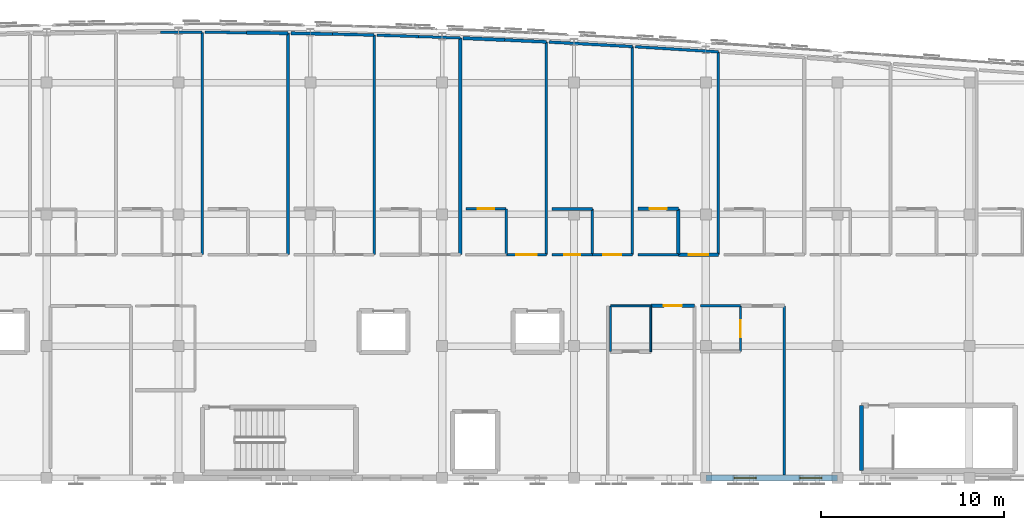
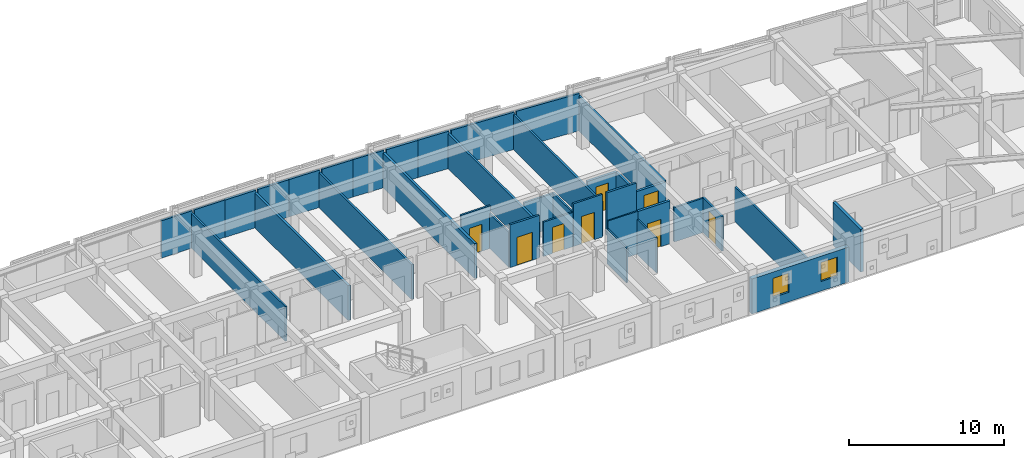
# One storey, part 39 of 45: 38 walls, 8 doors, 2 windows, 10 openings.
"""IFC4 building model written with IfcOpenShell, lengths in metres."""

import ifcopenshell
import ifcopenshell.guid

model = None  # the IFC model being written
_history = None  # IfcOwnerHistory: only IFC2X3 demands one
_inside = {}  # id of a spatial element -> (the spatial element, [elements in it])
_under = {}  # id of a project, library or spatial element -> (it, [spatial elements below it])
_declared = {}  # id of a project -> (the project, [libraries it declares])
_typed = {}  # id of a type object -> (the type object, [elements of that type])
_made_of = {}  # id of a material, layer set ... -> (it, [elements and type objects made of it])


def new_model(schema):
    """Start an empty IFC model of exactly this schema.

    Asked for "IFC4X3", IfcOpenShell would pick the latest addendum, in which some entities
    have other attributes; the version numbers below select the first issue.
    IFC2X3 requires an IfcOwnerHistory on every rooted entity: one is made here for all.
    """
    global model, _history
    if schema == "IFC4X3":
        model = ifcopenshell.file(schema_version=(4, 3, 0, 0))
    else:
        model = ifcopenshell.file(schema=schema)
    _inside.clear()
    _under.clear()
    _declared.clear()
    _typed.clear()
    _made_of.clear()
    _history = None
    if model.schema == "IFC2X3":
        org = make("IfcOrganization", Name="unknown")
        user = make(
            "IfcPersonAndOrganization",
            ThePerson=make("IfcPerson", FamilyName="unknown"),
            TheOrganization=org,
        )
        app = make(
            "IfcApplication",
            ApplicationDeveloper=org,
            Version="unknown",
            ApplicationFullName="unknown",
            ApplicationIdentifier="unknown",
        )
        _history = make(
            "IfcOwnerHistory",
            OwningUser=user,
            OwningApplication=app,
            ChangeAction="ADDED",
            CreationDate=0,
        )
    return model


def make(cls, **values):
    """One entity of the class cls with the attributes given. An attribute that is None is left unset."""
    return model.create_entity(
        cls, **{name: value for name, value in values.items() if value is not None}
    )


def rooted(cls, **values):
    """An entity with a GlobalId (a new one), such as an element, a storey or a relation."""
    return make(cls, GlobalId=ifcopenshell.guid.new(), OwnerHistory=_history, **values)


def si_unit(unit_type, name, prefix=None):
    """IfcSIUnit, for example si_unit("LENGTHUNIT", "METRE", prefix="MILLI")."""
    return make("IfcSIUnit", UnitType=unit_type, Prefix=prefix, Name=name)


def assignment(units):
    """IfcUnitAssignment: the units of a project."""
    return None if units is None else make("IfcUnitAssignment", Units=units)


def point(xyz):
    """IfcCartesianPoint."""
    return None if xyz is None else make("IfcCartesianPoint", Coordinates=xyz)


def direction(xyz):
    """IfcDirection."""
    return None if xyz is None else make("IfcDirection", DirectionRatios=xyz)


def frame(location, z_axis=None, x_axis=None):
    """IfcAxis2Placement3D, a coordinate frame: its origin and axes. An axis left out is left unset."""
    return make(
        "IfcAxis2Placement3D",
        Location=point(location),
        Axis=direction(z_axis),
        RefDirection=direction(x_axis),
    )


def frame_2d(location, x_axis=None):
    """IfcAxis2Placement2D, a coordinate frame in the plane: its origin and x axis."""
    return make(
        "IfcAxis2Placement2D", Location=point(location), RefDirection=direction(x_axis)
    )


def origin():
    """The frame at (0, 0, 0) with its axes left unset."""
    return frame((0.0, 0.0, 0.0))


def place(relative_to, where):
    """IfcLocalPlacement: puts the frame where relative to a parent placement (None: the world)."""
    return make(
        "IfcLocalPlacement", PlacementRelTo=relative_to, RelativePlacement=where
    )


def context(
    kind, dimensions, precision=None, world=None, true_north=None, identifier=None
):
    """IfcGeometricRepresentationContext, for example the 3D "Model" context."""
    return make(
        "IfcGeometricRepresentationContext",
        ContextIdentifier=identifier,
        ContextType=kind,
        CoordinateSpaceDimension=dimensions,
        Precision=precision,
        WorldCoordinateSystem=world,
        TrueNorth=true_north,
    )


def subcontext(parent, identifier, kind, view, scale=None):
    """IfcGeometricRepresentationSubContext, for example "Body" below "Model"."""
    return make(
        "IfcGeometricRepresentationSubContext",
        ContextIdentifier=identifier,
        ContextType=kind,
        ParentContext=parent,
        TargetScale=scale,
        TargetView=view,
    )


def project(units=None, contexts=None):
    """IfcProject with its units and contexts."""
    return rooted(
        "IfcProject",
        Name="project",
        RepresentationContexts=contexts,
        UnitsInContext=assignment(units),
    )


def spatial(cls, under=None, at=None, **own):
    """A site, building, storey or space (cls), placed at a placement, below another one or the project."""
    s = rooted(cls, ObjectPlacement=at, **own)
    if under is not None:
        _under.setdefault(under.id(), (under, []))[1].append(s)
    return s


def profile(cls, at=None, kind="AREA", **sizes):
    """A parametric profile (cls). Its sizes go by their IFC names, for example OverallWidth=200.0."""
    return make(cls, ProfileType=kind, Position=at, **sizes)


def rectangle(**sizes):
    """IfcRectangleProfileDef."""
    return profile("IfcRectangleProfileDef", **sizes)


def extrude(swept, where, along, depth):
    """IfcExtrudedAreaSolid: the profile swept, set in the frame where, extruded along a direction by depth."""
    return make(
        "IfcExtrudedAreaSolid",
        SweptArea=swept,
        Position=where,
        ExtrudedDirection=direction(along),
        Depth=depth,
    )


def shape(context_of_items, identifier, shape_type, items):
    """IfcShapeRepresentation: the items that make up one representation, for example the "Body"."""
    return make(
        "IfcShapeRepresentation",
        ContextOfItems=context_of_items,
        RepresentationIdentifier=identifier,
        RepresentationType=shape_type,
        Items=items,
    )


def material(Name=None, Category=None):
    """IfcMaterial."""
    return make("IfcMaterial", Name=Name, Category=Category)


def layer(
    of_material, thickness, ventilated=None, Name=None, Category=None, Priority=None
):
    """IfcMaterialLayer: one layer of a wall or slab, of a material (None: an air gap)."""
    return make(
        "IfcMaterialLayer",
        Material=of_material,
        LayerThickness=thickness,
        IsVentilated=ventilated,
        Name=Name,
        Category=Category,
        Priority=Priority,
    )


def layer_set(layers, Name=None):
    """IfcMaterialLayerSet."""
    return make("IfcMaterialLayerSet", MaterialLayers=layers, LayerSetName=Name)


def made_of(thing, what):
    """Note that an element or type object is made of a material, layer set ...; save() writes the relation."""
    if what is not None:
        _made_of.setdefault(what.id(), (what, []))[1].append(thing)
    return thing


def type_object(cls, material=None, **own):
    """A type object (cls), such as IfcWallType, which elements share."""
    return made_of(rooted(cls, **own), material)


def element(
    cls,
    number,
    at=None,
    inside=None,
    cuts=None,
    type_object=None,
    material=None,
    context=None,
    identifier="Body",
    shape_type=None,
    held_by="IfcProductDefinitionShape",
    body=None,
    shapes=None,
    **own,
):
    """One element of the class cls, such as IfcWall. Its Tag is "e" and its number.

    at: its placement. inside: the storey or other place that contains it. cuts: it is an
    opening in that element (IfcRelVoidsElement). A single representation is given by context,
    identifier, shape_type and body (its items); several are given by shapes. held_by: the class
    of the entity that holds the representations. save() writes the other relations.
    """
    e = rooted(cls, Tag="e%d" % number, ObjectPlacement=at, **own)
    if body is not None:
        shapes = [shape(context, identifier, shape_type, body)]
    if shapes is not None:
        e.Representation = make(held_by, Representations=shapes)
    if inside is not None:
        _inside.setdefault(inside.id(), (inside, []))[1].append(e)
    if cuts is not None:
        rooted(
            "IfcRelVoidsElement", RelatingBuildingElement=cuts, RelatedOpeningElement=e
        )
    if type_object is not None:
        _typed.setdefault(type_object.id(), (type_object, []))[1].append(e)
    return made_of(e, material)


def fill(opening, filler):
    """IfcRelFillsElement: the door or window that sits in an opening."""
    return rooted(
        "IfcRelFillsElement",
        RelatingOpeningElement=opening,
        RelatedBuildingElement=filler,
    )


def aggregate(whole, parts):
    """IfcRelAggregates: a whole, such as a stair, and the parts it consists of."""
    return rooted("IfcRelAggregates", RelatingObject=whole, RelatedObjects=parts)


def save(model, path):
    """Write the relations noted so far, then the file.

    IfcRelAggregates (storeys below a building ...), IfcRelContainedInSpatialStructure (elements
    in a storey), IfcRelDefinesByType, IfcRelAssociatesMaterial and IfcRelDeclares: one each for
    every whole, place, type object, material and project.
    """
    for whole, parts in _under.values():
        aggregate(whole, parts)
    for where, things in _inside.values():
        rooted(
            "IfcRelContainedInSpatialStructure",
            RelatedElements=things,
            RelatingStructure=where,
        )
    for kind, things in _typed.values():
        rooted("IfcRelDefinesByType", RelatedObjects=things, RelatingType=kind)
    for what, things in _made_of.values():
        rooted("IfcRelAssociatesMaterial", RelatedObjects=things, RelatingMaterial=what)
    for by, libraries in _declared.values():
        rooted("IfcRelDeclares", RelatingContext=by, RelatedDefinitions=libraries)
    model.write(path)


model = new_model("IFC4")

# Units and contexts
model_context = context("Model", 3, precision=1e-05, world=origin(), true_north=direction((0.0, 1.0)))
body_context = subcontext(model_context, "Body", "Model", "MODEL_VIEW")
ifc_project = project(units=[si_unit("LENGTHUNIT", "METRE"), si_unit("AREAUNIT", "SQUARE_METRE"), si_unit("VOLUMEUNIT", "CUBIC_METRE"), si_unit("PLANEANGLEUNIT", "RADIAN"), si_unit("MASSUNIT", "GRAM", prefix="KILO")], contexts=[model_context])

# Site, building, storey
site_placement = place(None, origin())
site = spatial("IfcSite", under=ifc_project, at=site_placement, CompositionType="ELEMENT")
building_placement = place(site_placement, origin())
building = spatial("IfcBuilding", under=site, at=building_placement, Name="Carrowvane Square Congress Hotel", CompositionType="ELEMENT")
storey_placement = place(building_placement, frame((0.0, 0.0, 33.60009765625)))
storey = spatial("IfcBuildingStorey", under=building, at=storey_placement, Name="L08", CompositionType="ELEMENT", Elevation=33.60009765625)

# Wall, openings, windows
ifc_material_1 = material(Name="Glazed terracotta rainscreen", Category="masonry")
ifc_layer_1 = layer(ifc_material_1, 0.330078125)
ifc_layer_set_1 = layer_set([ifc_layer_1], Name="Glazed terracotta rainscreen")
wall_type_1 = type_object("IfcWallType", Name="WL-EXT-TC330", PredefinedType="STANDARD", material=ifc_layer_set_1)
wall_1_placement = place(storey_placement, frame((134.0, 91.800048828125, 0.0), z_axis=(0.0, 0.0, 1.0), x_axis=(-1.0, 0.0, 0.0)))
wall_1 = element("IfcWall", 1, at=wall_1_placement, inside=storey, type_object=wall_type_1, Name="L08 exterior facade wall 543", PredefinedType="STANDARD", context=body_context, shape_type="SweptSolid", body=[
    extrude(rectangle(XDim=7.199951171875, YDim=0.330078125, at=frame_2d((3.60009765625, 0.0))), origin(), (0.0, 0.0, 1.0), 2.744873046875),
])
opening_1_placement = place(wall_1_placement, frame((0.85498046875, 0.0, 0.75)))
opening_1 = element("IfcOpeningElement", 2, at=opening_1_placement, cuts=wall_1, Name="Opening W-01", PredefinedType="OPENING", context=body_context, shape_type="SweptSolid", body=[
    extrude(rectangle(XDim=1.199951171875, YDim=1.5, at=frame_2d((0.60009765625, 0.75))), frame((0.0, 0.175048828125, 0.0), z_axis=(0.0, -1.0, 0.0), x_axis=(1.0, 0.0, 0.0)), (0.0, 0.0, 1.0), 0.35009765625),
])
opening_2_placement = place(wall_1_placement, frame((4.455078125, 0.0, 0.75)))
opening_2 = element("IfcOpeningElement", 3, at=opening_2_placement, cuts=wall_1, Name="Opening W-01", PredefinedType="OPENING", context=body_context, shape_type="SweptSolid", body=[
    extrude(rectangle(XDim=1.199951171875, YDim=1.5, at=frame_2d((0.60009765625, 0.75))), frame((0.0, 0.175048828125, 0.0), z_axis=(0.0, -1.0, 0.0), x_axis=(1.0, 0.0, 0.0)), (0.0, 0.0, 1.0), 0.35009765625),
])
ifc_material_2 = material(Name="Double-glazed low-E glass", Category="glass")
window_type = type_object("IfcWindowType", Name="WIN-01", PartitioningType="SINGLE_PANEL", PredefinedType="WINDOW", material=ifc_material_2)
window_1_placement = place(opening_1_placement, origin())
window_1 = element("IfcWindow", 4, at=window_1_placement, inside=storey, type_object=window_type, Name="L08 facade window 384", OverallHeight=1.5, OverallWidth=1.199951171875, PartitioningType="SINGLE_PANEL", PredefinedType="WINDOW", context=body_context, shape_type="SweptSolid", body=[
    extrude(rectangle(XDim=1.199951171875, YDim=1.5, at=frame_2d((0.60009765625, 0.75))), frame((0.0, 0.030029296875, 0.0), z_axis=(0.0, -1.0, 0.0), x_axis=(1.0, 0.0, 0.0)), (0.0, 0.0, 1.0), 0.06005859375),
])
fill(opening_1, window_1)
window_2_placement = place(opening_2_placement, origin())
window_2 = element("IfcWindow", 5, at=window_2_placement, inside=storey, type_object=window_type, Name="L08 split-bay facade window WIN-L08-0384-1", OverallHeight=1.5, OverallWidth=1.199951171875, PartitioningType="SINGLE_PANEL", PredefinedType="WINDOW", context=body_context, shape_type="SweptSolid", body=[
    extrude(rectangle(XDim=1.199951171875, YDim=1.5, at=frame_2d((0.60009765625, 0.75))), frame((0.0, 0.030029296875, 0.0), z_axis=(0.0, -1.0, 0.0), x_axis=(1.0, 0.0, 0.0)), (0.0, 0.0, 1.0), 0.06005859375),
])
fill(opening_2, window_2)

# Walls
ifc_material_3 = material(Name="Acoustic gypsum board", Category="gypsum")
ifc_layer_2 = layer(ifc_material_3, 0.155029296875)
ifc_layer_set_2 = layer_set([ifc_layer_2], Name="Acoustic gypsum board")
wall_type_2 = type_object("IfcWallType", Name="WL-FIR-155", PredefinedType="PARTITIONING", material=ifc_layer_set_2)
wall_2_placement = place(storey_placement, frame((106.419921875, 116.05224609375, 0.0), z_axis=(0.0, 0.0, 1.0), x_axis=(0.999675304662, -0.025481076275, 0.0)))
element("IfcWall", 6, at=wall_2_placement, inside=storey, type_object=wall_type_2, Name="L08 Parkview Guest Bedroom 0818 partition", PredefinedType="PARTITIONING", context=body_context, shape_type="SweptSolid", body=[
    extrude(rectangle(XDim=2.270751953125, YDim=0.155029296875, at=frame_2d((1.13525390625, 0.0))), origin(), (0.0, 0.0, 1.0), 2.935546875),
])
wall_3_placement = place(storey_placement, frame((118.090087890625, 115.623779296875, 0.0), z_axis=(0.0, 0.0, 1.0), x_axis=(0.0, -1.0, 0.0)))
element("IfcWall", 7, at=wall_3_placement, inside=storey, type_object=wall_type_2, Name="L08 Parkview Guest Bedroom 0820 partition", PredefinedType="PARTITIONING", context=body_context, shape_type="SweptSolid", body=[
    extrude(rectangle(XDim=11.623779296875, YDim=0.155029296875, at=frame_2d((5.81201171875, 0.0))), origin(), (0.0, 0.0, 1.0), 2.744873046875),
])
wall_4_placement = place(storey_placement, frame((118.25, 115.615478515625, 0.0), z_axis=(0.0, 0.0, 1.0), x_axis=(0.998531223826, -0.054179286128, 0.0)))
element("IfcWall", 8, at=wall_4_placement, inside=storey, type_object=wall_type_2, Name="L08 Parkview Guest Bedroom 0821 partition", PredefinedType="PARTITIONING", context=body_context, shape_type="SweptSolid", body=[
    extrude(rectangle(XDim=4.546630859375, YDim=0.155029296875, at=frame_2d((2.2734375, 0.0))), origin(), (0.0, 0.0, 1.0), 2.935546875),
])
wall_5_placement = place(storey_placement, frame((125.300048828125, 104.0, 0.0), z_axis=(0.0, 0.0, 1.0), x_axis=(-1.0, 0.0, 0.0)))
element("IfcWall", 9, at=wall_5_placement, inside=storey, type_object=wall_type_2, Name="L08 En-suite Bathroom 0822 partition", PredefinedType="PARTITIONING", context=body_context, shape_type="SweptSolid", body=[
    extrude(rectangle(XDim=2.199951171875, YDim=0.155029296875, at=frame_2d((1.10009765625, 0.0))), origin(), (0.0, 0.0, 1.0), 3.35986328125),
])
ifc_material_4 = material(Name="Acoustic gypsum board", Category="gypsum")
ifc_layer_3 = layer(ifc_material_4, 0.169921875)
ifc_layer_set_3 = layer_set([ifc_layer_3], Name="Acoustic gypsum board")
wall_type_3 = type_object("IfcWallType", Name="WL-FIR-170", PredefinedType="PARTITIONING", material=ifc_layer_set_3)
wall_6_placement = place(storey_placement, frame((103.989990234375, 116.099365234375, 0.0), z_axis=(0.0, 0.0, 1.0), x_axis=(0.0, -1.0, 0.0)))
element("IfcWall", 10, at=wall_6_placement, inside=storey, type_object=wall_type_3, Name="L08 Parkview Guest Bedroom 0817 partition", PredefinedType="PARTITIONING", context=body_context, shape_type="SweptSolid", body=[
    extrude(rectangle(XDim=12.099365234375, YDim=0.169921875, at=frame_2d((6.0498046875, 0.0))), origin(), (0.0, 0.0, 1.0), 2.744873046875),
])
wall_7_placement = place(storey_placement, frame((104.14990234375, 116.0966796875, 0.0), z_axis=(0.0, 0.0, 1.0), x_axis=(0.999808482299, -0.01957035317, 0.0)))
element("IfcWall", 11, at=wall_7_placement, inside=storey, type_object=wall_type_3, Name="L08 Parkview Guest Bedroom 0818 partition", PredefinedType="PARTITIONING", context=body_context, shape_type="SweptSolid", body=[
    extrude(rectangle(XDim=2.2705078125, YDim=0.169921875, at=frame_2d((1.13525390625, 0.0))), origin(), (0.0, 0.0, 1.0), 2.935546875),
])
wall_8_placement = place(storey_placement, frame((115.820068359375, 115.731201171875, 0.0), z_axis=(0.0, 0.0, 1.0), x_axis=(0.998882190977, -0.047269107768, 0.0)))
element("IfcWall", 12, at=wall_8_placement, inside=storey, type_object=wall_type_3, Name="L08 Parkview Guest Bedroom 0820 partition", PredefinedType="PARTITIONING", context=body_context, shape_type="SweptSolid", body=[
    extrude(rectangle(XDim=2.2724609375, YDim=0.169921875, at=frame_2d((1.13623046875, 0.0))), origin(), (0.0, 0.0, 1.0), 2.935546875),
])
wall_9_placement = place(storey_placement, frame((125.300048828125, 106.5, 0.0), z_axis=(0.0, 0.0, 1.0), x_axis=(0.0, -1.0, 0.0)))
element("IfcWall", 13, at=wall_9_placement, inside=storey, type_object=wall_type_3, Name="L08 En-suite Bathroom 0822 partition", PredefinedType="PARTITIONING", context=body_context, shape_type="SweptSolid", body=[
    extrude(rectangle(XDim=2.5, YDim=0.169921875, at=frame_2d((1.25, 0.0))), origin(), (0.0, 0.0, 1.0), 2.744873046875),
])

# Wall, opening, door
ifc_material_5 = material(Name="Acoustic gypsum board", Category="gypsum")
ifc_layer_4 = layer(ifc_material_5, 0.18505859375)
ifc_layer_set_4 = layer_set([ifc_layer_4], Name="Acoustic gypsum board")
wall_type_4 = type_object("IfcWallType", Name="WL-FIR-185", PredefinedType="PARTITIONING", material=ifc_layer_set_4)
wall_10_placement = place(storey_placement, frame((123.81005859375, 101.199951171875, 0.0), z_axis=(0.0, 0.0, 1.0), x_axis=(1.0, 0.0, 0.0)))
wall_10 = element("IfcWall", 14, at=wall_10_placement, inside=storey, type_object=wall_type_4, Name="L08 Hotel Guest Bedroom 0806 partition", PredefinedType="PARTITIONING", context=body_context, shape_type="SweptSolid", body=[
    extrude(rectangle(XDim=2.3798828125, YDim=0.18505859375, at=frame_2d((1.18994140625, 0.0))), origin(), (0.0, 0.0, 1.0), 3.35986328125),
])
opening_3_placement = place(wall_10_placement, frame((0.699951171875, 0.0, 0.0)))
opening_3 = element("IfcOpeningElement", 15, at=opening_3_placement, cuts=wall_10, Name="Opening FD-07", PredefinedType="OPENING", context=body_context, shape_type="SweptSolid", body=[
    extrude(rectangle(XDim=0.97998046875, YDim=2.14990234375, at=frame_2d((0.489990234375, 1.074951171875))), frame((0.0, 0.1025390625, 0.0), z_axis=(0.0, -1.0, 0.0), x_axis=(1.0, 0.0, 0.0)), (0.0, 0.0, 1.0), 0.205078125),
])
ifc_material_6 = material(Name="European oak timber", Category="wood")
door_type_1 = type_object("IfcDoorType", Name="DR-FD30-0980x2150", OperationType="NOTDEFINED", PredefinedType="DOOR", material=ifc_material_6)
door_1_placement = place(opening_3_placement, origin())
door_1 = element("IfcDoor", 16, at=door_1_placement, inside=storey, type_object=door_type_1, Name="L08 Hotel Guest Bedroom 0806 entrance door", OperationType="SINGLE_SWING_RIGHT", OverallHeight=2.14990234375, OverallWidth=0.97998046875, PredefinedType="DOOR", context=body_context, shape_type="SweptSolid", body=[
    extrude(rectangle(XDim=0.97998046875, YDim=2.14990234375, at=frame_2d((0.489990234375, 1.074951171875))), frame((0.0, 0.02490234375, 0.0), z_axis=(0.0, -1.0, 0.0), x_axis=(1.0, 0.0, 0.0)), (0.0, 0.0, 1.0), 0.050048828125),
])
fill(opening_3, door_1)

# Walls
wall_11_placement = place(storey_placement, frame((101.719970703125, 116.129150390625, 0.0), z_axis=(0.0, 0.0, 1.0), x_axis=(0.999913929464, -0.013119971972, 0.0)))
element("IfcWall", 17, at=wall_11_placement, inside=storey, type_object=wall_type_4, Name="L08 Parkview Guest Bedroom 0817 partition", PredefinedType="PARTITIONING", context=body_context, shape_type="SweptSolid", body=[
    extrude(rectangle(XDim=2.270263671875, YDim=0.18505859375, at=frame_2d((1.13525390625, 0.0))), origin(), (0.0, 0.0, 1.0), 2.935546875),
])
wall_12_placement = place(storey_placement, frame((113.389892578125, 115.834228515625, 0.0), z_axis=(0.0, 0.0, 1.0), x_axis=(0.0, -1.0, 0.0)))
element("IfcWall", 18, at=wall_12_placement, inside=storey, type_object=wall_type_4, Name="L08 Parkview Guest Bedroom 0819 partition", PredefinedType="PARTITIONING", context=body_context, shape_type="SweptSolid", body=[
    extrude(rectangle(XDim=11.834228515625, YDim=0.18505859375, at=frame_2d((5.9169921875, 0.0))), origin(), (0.0, 0.0, 1.0), 2.744873046875),
])
wall_13_placement = place(storey_placement, frame((113.550048828125, 115.827880859375, 0.0), z_axis=(0.0, 0.0, 1.0), x_axis=(0.99909428625, -0.042551230088, 0.0)))
element("IfcWall", 19, at=wall_13_placement, inside=storey, type_object=wall_type_4, Name="L08 Parkview Guest Bedroom 0820 partition", PredefinedType="PARTITIONING", context=body_context, shape_type="SweptSolid", body=[
    extrude(rectangle(XDim=2.27197265625, YDim=0.18505859375, at=frame_2d((1.135986328125, 0.0))), origin(), (0.0, 0.0, 1.0), 2.935546875),
])

# Wall, opening, door
wall_14_placement = place(storey_placement, frame((123.10009765625, 106.5, 0.0), z_axis=(0.0, 0.0, 1.0), x_axis=(1.0, 0.0, 0.0)))
wall_14 = element("IfcWall", 20, at=wall_14_placement, inside=storey, type_object=wall_type_4, Name="L08 En-suite Bathroom 0822 partition", PredefinedType="PARTITIONING", context=body_context, shape_type="SweptSolid", body=[
    extrude(rectangle(XDim=2.199951171875, YDim=0.18505859375, at=frame_2d((1.10009765625, 0.0))), origin(), (0.0, 0.0, 1.0), 2.744873046875),
])
opening_4_placement = place(wall_14_placement, frame((0.639892578125, 0.0, 0.0)))
opening_4 = element("IfcOpeningElement", 21, at=opening_4_placement, cuts=wall_14, Name="Opening ID-03", PredefinedType="OPENING", context=body_context, shape_type="SweptSolid", body=[
    extrude(rectangle(XDim=0.919921875, YDim=2.10009765625, at=frame_2d((0.4599609375, 1.050048828125))), frame((0.0, 0.1025390625, 0.0), z_axis=(0.0, -1.0, 0.0), x_axis=(1.0, 0.0, 0.0)), (0.0, 0.0, 1.0), 0.205078125),
])
ifc_material_7 = material(Name="European oak timber", Category="wood")
door_type_2 = type_object("IfcDoorType", Name="DR-INT-0920x2100", OperationType="NOTDEFINED", PredefinedType="DOOR", material=ifc_material_7)
door_2_placement = place(opening_4_placement, origin())
door_2 = element("IfcDoor", 22, at=door_2_placement, inside=storey, type_object=door_type_2, Name="L08 En-suite Bathroom 0822 door", OperationType="SINGLE_SWING_LEFT", OverallHeight=2.10009765625, OverallWidth=0.919921875, PredefinedType="DOOR", context=body_context, shape_type="SweptSolid", body=[
    extrude(rectangle(XDim=0.919921875, YDim=2.10009765625, at=frame_2d((0.4599609375, 1.050048828125))), frame((0.0, 0.02490234375, 0.0), z_axis=(0.0, -1.0, 0.0), x_axis=(1.0, 0.0, 0.0)), (0.0, 0.0, 1.0), 0.050048828125),
])
fill(opening_4, door_2)

wall_15_placement = place(storey_placement, frame((127.489990234375, 104.0, 0.0), z_axis=(0.0, 0.0, 1.0), x_axis=(-1.0, 0.0, 0.0)))
wall_15 = element("IfcWall", 23, at=wall_15_placement, inside=storey, type_object=wall_type_4, Name="L08 Parkview Guest Bedroom 0822 partition", PredefinedType="PARTITIONING", context=body_context, shape_type="SweptSolid", body=[
    extrude(rectangle(XDim=2.179931640625, YDim=0.18505859375, at=frame_2d((1.08984375, 0.0))), origin(), (0.0, 0.0, 1.0), 2.69482421875),
])
opening_5_placement = place(wall_15_placement, frame((0.56005859375, 0.0, 0.0)))
opening_5 = element("IfcOpeningElement", 24, at=opening_5_placement, cuts=wall_15, Name="Opening FD-09", PredefinedType="OPENING", context=body_context, shape_type="SweptSolid", body=[
    extrude(rectangle(XDim=1.06005859375, YDim=2.199951171875, at=frame_2d((0.530029296875, 1.10009765625))), frame((0.0, 0.1025390625, 0.0), z_axis=(0.0, -1.0, 0.0), x_axis=(1.0, 0.0, 0.0)), (0.0, 0.0, 1.0), 0.205078125),
])
ifc_material_8 = material(Name="European oak timber", Category="wood")
door_type_3 = type_object("IfcDoorType", Name="DR-FD30-1060x2200", OperationType="NOTDEFINED", PredefinedType="DOOR", material=ifc_material_8)
door_3_placement = place(opening_5_placement, origin())
door_3 = element("IfcDoor", 25, at=door_3_placement, inside=storey, type_object=door_type_3, Name="L08 Parkview Guest Bedroom 0822 entrance door", OperationType="SINGLE_SWING_RIGHT", OverallHeight=2.199951171875, OverallWidth=1.06005859375, PredefinedType="DOOR", context=body_context, shape_type="SweptSolid", body=[
    extrude(rectangle(XDim=1.06005859375, YDim=2.199951171875, at=frame_2d((0.530029296875, 1.10009765625))), frame((0.0, 0.02490234375, 0.0), z_axis=(0.0, -1.0, 0.0), x_axis=(1.0, 0.0, 0.0)), (0.0, 0.0, 1.0), 0.050048828125),
])
fill(opening_5, door_3)

# Walls
ifc_material_9 = material(Name="Acoustic gypsum board", Category="gypsum")
ifc_layer_5 = layer(ifc_material_9, 0.097900390625)
ifc_layer_set_5 = layer_set([ifc_layer_5], Name="Acoustic gypsum board")
wall_type_5 = type_object("IfcWallType", Name="WL-PRT-098", PredefinedType="PARTITIONING", material=ifc_layer_set_5)
wall_16_placement = place(storey_placement, frame((123.800048828125, 101.199951171875, 0.0), z_axis=(0.0, 0.0, 1.0), x_axis=(0.0, -1.0, 0.0)))
element("IfcWall", 26, at=wall_16_placement, inside=storey, type_object=wall_type_5, Name="L08 En-suite Bathroom 0806 partition", PredefinedType="PARTITIONING", context=body_context, shape_type="SweptSolid", body=[
    extrude(rectangle(XDim=2.5, YDim=0.097900390625, at=frame_2d((1.25, 0.0))), origin(), (0.0, 0.0, 1.0), 2.744873046875),
])
ifc_material_10 = material(Name="Acoustic gypsum board", Category="gypsum")
ifc_layer_6 = layer(ifc_material_10, 0.10791015625)
ifc_layer_set_6 = layer_set([ifc_layer_6], Name="Acoustic gypsum board")
wall_type_6 = type_object("IfcWallType", Name="WL-PRT-108", PredefinedType="PARTITIONING", material=ifc_layer_set_6)
wall_17_placement = place(storey_placement, frame((121.60009765625, 101.199951171875, 0.0), z_axis=(0.0, 0.0, 1.0), x_axis=(1.0, 0.0, 0.0)))
element("IfcWall", 27, at=wall_17_placement, inside=storey, type_object=wall_type_6, Name="L08 En-suite Bathroom 0806 partition", PredefinedType="PARTITIONING", context=body_context, shape_type="SweptSolid", body=[
    extrude(rectangle(XDim=2.199951171875, YDim=0.10791015625, at=frame_2d((1.10009765625, 0.0))), origin(), (0.0, 0.0, 1.0), 3.35986328125),
])
ifc_material_11 = material(Name="Acoustic gypsum board", Category="gypsum")
ifc_layer_7 = layer(ifc_material_11, 0.117919921875)
ifc_layer_set_7 = layer_set([ifc_layer_7], Name="Acoustic gypsum board")
wall_type_7 = type_object("IfcWallType", Name="WL-PRT-118", PredefinedType="PARTITIONING", material=ifc_layer_set_7)
for number, where, z_axis, x_axis, name in (
    (28, (121.60009765625, 98.699951171875, 0.0), (0.0, 0.0, 1.0), (0.0, 1.0, 0.0), "L08 En-suite Bathroom 0806 partition"),
    (29, (115.89990234375, 106.5, 0.0), (0.0, 0.0, 1.0), (0.0, -1.0, 0.0), "L08 En-suite Bathroom 0820 partition"),
):
    element("IfcWall", number, at=place(storey_placement, frame(where, z_axis=z_axis, x_axis=x_axis)), inside=storey, type_object=wall_type_7, Name=name, PredefinedType="PARTITIONING", context=body_context, shape_type="SweptSolid", body=[
        extrude(rectangle(XDim=2.5, YDim=0.117919921875, at=frame_2d((1.25, 0.0))), origin(), (0.0, 0.0, 1.0), 2.744873046875),
    ])

# Wall, opening, door
ifc_material_12 = material(Name="Acoustic gypsum board", Category="gypsum")
ifc_layer_8 = layer(ifc_material_12, 0.1279296875)
ifc_layer_set_8 = layer_set([ifc_layer_8], Name="Acoustic gypsum board")
wall_type_8 = type_object("IfcWallType", Name="WL-PRT-128", PredefinedType="PARTITIONING", material=ifc_layer_set_8)
wall_18_placement = place(storey_placement, frame((128.699951171875, 101.199951171875, 0.0), z_axis=(0.0, 0.0, 1.0), x_axis=(0.0, -1.0, 0.0)))
wall_18 = element("IfcWall", 30, at=wall_18_placement, inside=storey, type_object=wall_type_8, Name="L08 En-suite Bathroom 0807 partition", PredefinedType="PARTITIONING", context=body_context, shape_type="SweptSolid", body=[
    extrude(rectangle(XDim=2.5, YDim=0.1279296875, at=frame_2d((1.25, 0.0))), origin(), (0.0, 0.0, 1.0), 2.744873046875),
])
opening_6_placement = place(wall_18_placement, frame((0.784912109375, 0.0, 0.0)))
opening_6 = element("IfcOpeningElement", 31, at=opening_6_placement, cuts=wall_18, Name="Opening ID-18", PredefinedType="OPENING", context=body_context, shape_type="SweptSolid", body=[
    extrude(rectangle(XDim=0.929931640625, YDim=2.1298828125, at=frame_2d((0.46484375, 1.06494140625))), frame((0.0, 0.073974609375, 0.0), z_axis=(0.0, -1.0, 0.0), x_axis=(1.0, 0.0, 0.0)), (0.0, 0.0, 1.0), 0.14794921875),
])
ifc_material_13 = material(Name="European oak timber", Category="wood")
door_type_4 = type_object("IfcDoorType", Name="DR-INT-0930x2130", OperationType="NOTDEFINED", PredefinedType="DOOR", material=ifc_material_13)
door_4_placement = place(opening_6_placement, origin())
door_4 = element("IfcDoor", 32, at=door_4_placement, inside=storey, type_object=door_type_4, Name="L08 En-suite Bathroom 0807 door", OperationType="SINGLE_SWING_LEFT", OverallHeight=2.1298828125, OverallWidth=0.929931640625, PredefinedType="DOOR", context=body_context, shape_type="SweptSolid", body=[
    extrude(rectangle(XDim=0.929931640625, YDim=2.1298828125, at=frame_2d((0.46484375, 1.06494140625))), frame((0.0, 0.02490234375, 0.0), z_axis=(0.0, -1.0, 0.0), x_axis=(1.0, 0.0, 0.0)), (0.0, 0.0, 1.0), 0.050048828125),
])
fill(opening_6, door_4)

wall_19_placement = place(storey_placement, frame((113.699951171875, 106.5, 0.0), z_axis=(0.0, 0.0, 1.0), x_axis=(1.0, 0.0, 0.0)))
wall_19 = element("IfcWall", 33, at=wall_19_placement, inside=storey, type_object=wall_type_8, Name="L08 En-suite Bathroom 0820 partition", PredefinedType="PARTITIONING", context=body_context, shape_type="SweptSolid", body=[
    extrude(rectangle(XDim=2.199951171875, YDim=0.1279296875, at=frame_2d((1.10009765625, 0.0))), origin(), (0.0, 0.0, 1.0), 3.35986328125),
])
opening_7_placement = place(wall_19_placement, frame((0.64501953125, 0.0, 0.0)))
opening_7 = element("IfcOpeningElement", 34, at=opening_7_placement, cuts=wall_19, Name="Opening ID-17", PredefinedType="OPENING", context=body_context, shape_type="SweptSolid", body=[
    extrude(rectangle(XDim=0.909912109375, YDim=2.110107421875, at=frame_2d((0.455078125, 1.05517578125))), frame((0.0, 0.073974609375, 0.0), z_axis=(0.0, -1.0, 0.0), x_axis=(1.0, 0.0, 0.0)), (0.0, 0.0, 1.0), 0.14794921875),
])
ifc_material_14 = material(Name="European oak timber", Category="wood")
door_type_5 = type_object("IfcDoorType", Name="DR-INT-0910x2110", OperationType="NOTDEFINED", PredefinedType="DOOR", material=ifc_material_14)
door_5_placement = place(opening_7_placement, origin())
door_5 = element("IfcDoor", 35, at=door_5_placement, inside=storey, type_object=door_type_5, Name="L08 En-suite Bathroom 0820 door", OperationType="SINGLE_SWING_LEFT", OverallHeight=2.110107421875, OverallWidth=0.909912109375, PredefinedType="DOOR", context=body_context, shape_type="SweptSolid", body=[
    extrude(rectangle(XDim=0.909912109375, YDim=2.110107421875, at=frame_2d((0.455078125, 1.05517578125))), frame((0.0, 0.02490234375, 0.0), z_axis=(0.0, -1.0, 0.0), x_axis=(1.0, 0.0, 0.0)), (0.0, 0.0, 1.0), 0.050048828125),
])
fill(opening_7, door_5)

wall_20_placement = place(storey_placement, frame((120.60009765625, 104.0, 0.0), z_axis=(0.0, 0.0, 1.0), x_axis=(-1.0, 0.0, 0.0)))
wall_20 = element("IfcWall", 36, at=wall_20_placement, inside=storey, type_object=wall_type_8, Name="L08 En-suite Bathroom 0821 partition", PredefinedType="PARTITIONING", context=body_context, shape_type="SweptSolid", body=[
    extrude(rectangle(XDim=2.2001953125, YDim=0.1279296875, at=frame_2d((1.10009765625, 0.0))), origin(), (0.0, 0.0, 1.0), 2.69482421875),
])
opening_8_placement = place(wall_20_placement, frame((0.659912109375, 0.0, 0.0)))
opening_8 = element("IfcOpeningElement", 37, at=opening_8_placement, cuts=wall_20, Name="Opening ID-01", PredefinedType="OPENING", context=body_context, shape_type="SweptSolid", body=[
    extrude(rectangle(XDim=0.8798828125, YDim=2.06005859375, at=frame_2d((0.43994140625, 1.030029296875))), frame((0.0, 0.073974609375, 0.0), z_axis=(0.0, -1.0, 0.0), x_axis=(1.0, 0.0, 0.0)), (0.0, 0.0, 1.0), 0.14794921875),
])
ifc_material_15 = material(Name="European oak timber", Category="wood")
door_type_6 = type_object("IfcDoorType", Name="DR-INT-0880x2060", OperationType="NOTDEFINED", PredefinedType="DOOR", material=ifc_material_15)
door_6_placement = place(opening_8_placement, origin())
door_6 = element("IfcDoor", 38, at=door_6_placement, inside=storey, type_object=door_type_6, Name="L08 En-suite Bathroom 0821 door", OperationType="SINGLE_SWING_LEFT", OverallHeight=2.06005859375, OverallWidth=0.8798828125, PredefinedType="DOOR", context=body_context, shape_type="SweptSolid", body=[
    extrude(rectangle(XDim=0.8798828125, YDim=2.06005859375, at=frame_2d((0.43994140625, 1.030029296875))), frame((0.0, 0.02490234375, 0.0), z_axis=(0.0, -1.0, 0.0), x_axis=(1.0, 0.0, 0.0)), (0.0, 0.0, 1.0), 0.050048828125),
])
fill(opening_8, door_6)

# Walls
ifc_material_16 = material(Name="Acoustic gypsum board", Category="gypsum")
ifc_layer_9 = layer(ifc_material_16, 0.137939453125)
ifc_layer_set_9 = layer_set([ifc_layer_9], Name="Acoustic gypsum board")
wall_type_9 = type_object("IfcWallType", Name="WL-PRT-138", PredefinedType="PARTITIONING", material=ifc_layer_set_9)
wall_21_placement = place(storey_placement, frame((126.5, 101.199951171875, 0.0), z_axis=(0.0, 0.0, 1.0), x_axis=(1.0, 0.0, 0.0)))
element("IfcWall", 39, at=wall_21_placement, inside=storey, type_object=wall_type_9, Name="L08 En-suite Bathroom 0807 partition", PredefinedType="PARTITIONING", context=body_context, shape_type="SweptSolid", body=[
    extrude(rectangle(XDim=2.199951171875, YDim=0.137939453125, at=frame_2d((1.10009765625, 0.0))), origin(), (0.0, 0.0, 1.0), 2.69482421875),
])
wall_22_placement = place(storey_placement, frame((131.090087890625, 101.199951171875, 0.0), z_axis=(0.0, 0.0, 1.0), x_axis=(0.0, -1.0, 0.0)))
element("IfcWall", 40, at=wall_22_placement, inside=storey, type_object=wall_type_9, Name="L08 Hotel Guest Bedroom 0807 partition", PredefinedType="PARTITIONING", context=body_context, shape_type="SweptSolid", body=[
    extrude(rectangle(XDim=9.239990234375, YDim=0.137939453125, at=frame_2d((4.6201171875, 0.0))), origin(), (0.0, 0.0, 1.0), 2.744873046875),
])
wall_23_placement = place(storey_placement, frame((99.2900390625, 116.145751953125, 0.0), z_axis=(0.0, 0.0, 1.0), x_axis=(0.0, -1.0, 0.0)))
element("IfcWall", 41, at=wall_23_placement, inside=storey, type_object=wall_type_9, Name="L08 Parkview Guest Bedroom 0816 partition", PredefinedType="PARTITIONING", context=body_context, shape_type="SweptSolid", body=[
    extrude(rectangle(XDim=12.145751953125, YDim=0.137939453125, at=frame_2d((6.07275390625, 0.0))), origin(), (0.0, 0.0, 1.0), 2.744873046875),
])
wall_24_placement = place(storey_placement, frame((99.449951171875, 116.145263671875, 0.0), z_axis=(0.0, 0.0, 1.0), x_axis=(0.999974808016, -0.00709812189, 0.0)))
element("IfcWall", 42, at=wall_24_placement, inside=storey, type_object=wall_type_9, Name="L08 Parkview Guest Bedroom 0817 partition", PredefinedType="PARTITIONING", context=body_context, shape_type="SweptSolid", body=[
    extrude(rectangle(XDim=2.27001953125, YDim=0.137939453125, at=frame_2d((1.135009765625, 0.0))), origin(), (0.0, 0.0, 1.0), 2.935546875),
])
wall_25_placement = place(storey_placement, frame((111.1201171875, 115.918212890625, 0.0), z_axis=(0.0, 0.0, 1.0), x_axis=(0.999316158321, -0.036975880226, 0.0)))
element("IfcWall", 43, at=wall_25_placement, inside=storey, type_object=wall_type_9, Name="L08 Parkview Guest Bedroom 0819 partition", PredefinedType="PARTITIONING", context=body_context, shape_type="SweptSolid", body=[
    extrude(rectangle(XDim=2.271240234375, YDim=0.137939453125, at=frame_2d((1.1357421875, 0.0))), origin(), (0.0, 0.0, 1.0), 2.935546875),
])
wall_26_placement = place(storey_placement, frame((120.60009765625, 106.5, 0.0), z_axis=(0.0, 0.0, 1.0), x_axis=(0.0, -1.0, 0.0)))
element("IfcWall", 44, at=wall_26_placement, inside=storey, type_object=wall_type_9, Name="L08 En-suite Bathroom 0821 partition", PredefinedType="PARTITIONING", context=body_context, shape_type="SweptSolid", body=[
    extrude(rectangle(XDim=2.5, YDim=0.137939453125, at=frame_2d((1.25, 0.0))), origin(), (0.0, 0.0, 1.0), 2.744873046875),
])

# Wall, opening, door
wall_27_placement = place(storey_placement, frame((122.7900390625, 104.0, 0.0), z_axis=(0.0, 0.0, 1.0), x_axis=(-1.0, 0.0, 0.0)))
wall_27 = element("IfcWall", 45, at=wall_27_placement, inside=storey, type_object=wall_type_9, Name="L08 Parkview Guest Bedroom 0821 partition", PredefinedType="PARTITIONING", context=body_context, shape_type="SweptSolid", body=[
    extrude(rectangle(XDim=2.179931640625, YDim=0.137939453125, at=frame_2d((1.08984375, 0.0))), origin(), (0.0, 0.0, 1.0), 3.35986328125),
])
opening_9_placement = place(wall_27_placement, frame((0.60009765625, 0.0, 0.0)))
opening_9 = element("IfcOpeningElement", 46, at=opening_9_placement, cuts=wall_27, Name="Opening FD-07", PredefinedType="OPENING", context=body_context, shape_type="SweptSolid", body=[
    extrude(rectangle(XDim=0.97998046875, YDim=2.14990234375, at=frame_2d((0.489990234375, 1.074951171875))), frame((0.0, 0.078857421875, 0.0), z_axis=(0.0, -1.0, 0.0), x_axis=(1.0, 0.0, 0.0)), (0.0, 0.0, 1.0), 0.157958984375),
])
door_7_placement = place(opening_9_placement, origin())
door_7 = element("IfcDoor", 47, at=door_7_placement, inside=storey, type_object=door_type_1, Name="L08 Parkview Guest Bedroom 0821 entrance door", OperationType="SINGLE_SWING_RIGHT", OverallHeight=2.14990234375, OverallWidth=0.97998046875, PredefinedType="DOOR", context=body_context, shape_type="SweptSolid", body=[
    extrude(rectangle(XDim=0.97998046875, YDim=2.14990234375, at=frame_2d((0.489990234375, 1.074951171875))), frame((0.0, 0.02490234375, 0.0), z_axis=(0.0, -1.0, 0.0), x_axis=(1.0, 0.0, 0.0)), (0.0, 0.0, 1.0), 0.050048828125),
])
fill(opening_9, door_7)

# Walls
wall_28_placement = place(storey_placement, frame((127.489990234375, 115.0791015625, 0.0), z_axis=(0.0, 0.0, 1.0), x_axis=(0.0, -1.0, 0.0)))
element("IfcWall", 48, at=wall_28_placement, inside=storey, type_object=wall_type_9, Name="L08 Parkview Guest Bedroom 0822 partition", PredefinedType="PARTITIONING", context=body_context, shape_type="SweptSolid", body=[
    extrude(rectangle(XDim=11.0791015625, YDim=0.137939453125, at=frame_2d((5.53955078125, 0.0))), origin(), (0.0, 0.0, 1.0), 2.744873046875),
])
ifc_material_17 = material(Name="Acoustic gypsum board", Category="gypsum")
ifc_layer_10 = layer(ifc_material_17, 0.14794921875)
ifc_layer_set_10 = layer_set([ifc_layer_10], Name="Acoustic gypsum board")
wall_type_10 = type_object("IfcWallType", Name="WL-PRT-148", PredefinedType="PARTITIONING", material=ifc_layer_set_10)
wall_29_placement = place(storey_placement, frame((97.02001953125, 116.146728515625, 0.0), z_axis=(0.0, 0.0, 1.0), x_axis=(0.999999907464, -0.000430200003, 0.0)))
element("IfcWall", 49, at=wall_29_placement, inside=storey, type_object=wall_type_10, Name="L08 Parkview Guest Bedroom 0816 partition", PredefinedType="PARTITIONING", context=body_context, shape_type="SweptSolid", body=[
    extrude(rectangle(XDim=2.27001953125, YDim=0.14794921875, at=frame_2d((1.135009765625, 0.0))), origin(), (0.0, 0.0, 1.0), 2.935546875),
])
wall_30_placement = place(storey_placement, frame((108.68994140625, 115.994384765625, 0.0), z_axis=(0.0, 0.0, 1.0), x_axis=(0.0, -1.0, 0.0)))
element("IfcWall", 50, at=wall_30_placement, inside=storey, type_object=wall_type_10, Name="L08 Parkview Guest Bedroom 0818 partition", PredefinedType="PARTITIONING", context=body_context, shape_type="SweptSolid", body=[
    extrude(rectangle(XDim=11.994384765625, YDim=0.14794921875, at=frame_2d((5.9970703125, 0.0))), origin(), (0.0, 0.0, 1.0), 2.744873046875),
])
wall_31_placement = place(storey_placement, frame((108.85009765625, 115.989990234375, 0.0), z_axis=(0.0, 0.0, 1.0), x_axis=(0.999500471728, -0.031603908226, 0.0)))
element("IfcWall", 51, at=wall_31_placement, inside=storey, type_object=wall_type_10, Name="L08 Parkview Guest Bedroom 0819 partition", PredefinedType="PARTITIONING", context=body_context, shape_type="SweptSolid", body=[
    extrude(rectangle(XDim=2.271240234375, YDim=0.14794921875, at=frame_2d((1.1357421875, 0.0))), origin(), (0.0, 0.0, 1.0), 2.935546875),
])

# Wall, opening, door
wall_32_placement = place(storey_placement, frame((118.090087890625, 104.0, 0.0), z_axis=(0.0, 0.0, 1.0), x_axis=(-1.0, 0.0, 0.0)))
wall_32 = element("IfcWall", 52, at=wall_32_placement, inside=storey, type_object=wall_type_10, Name="L08 Parkview Guest Bedroom 0820 partition", PredefinedType="PARTITIONING", context=body_context, shape_type="SweptSolid", body=[
    extrude(rectangle(XDim=2.18017578125, YDim=0.14794921875, at=frame_2d((1.090087890625, 0.0))), origin(), (0.0, 0.0, 1.0), 3.35986328125),
])
opening_10_placement = place(wall_32_placement, frame((0.530029296875, 0.0, 0.0)))
opening_10 = element("IfcOpeningElement", 53, at=opening_10_placement, cuts=wall_32, Name="Opening FD-10", PredefinedType="OPENING", context=body_context, shape_type="SweptSolid", body=[
    extrude(rectangle(XDim=1.1201171875, YDim=2.199951171875, at=frame_2d((0.56005859375, 1.10009765625))), frame((0.0, 0.083984375, 0.0), z_axis=(0.0, -1.0, 0.0), x_axis=(1.0, 0.0, 0.0)), (0.0, 0.0, 1.0), 0.16796875),
])
ifc_material_18 = material(Name="European oak timber", Category="wood")
door_type_7 = type_object("IfcDoorType", Name="DR-FD30-1120x2200", OperationType="NOTDEFINED", PredefinedType="DOOR", material=ifc_material_18)
door_8_placement = place(opening_10_placement, origin())
door_8 = element("IfcDoor", 54, at=door_8_placement, inside=storey, type_object=door_type_7, Name="L08 Parkview Guest Bedroom 0820 entrance door", OperationType="SINGLE_SWING_RIGHT", OverallHeight=2.199951171875, OverallWidth=1.1201171875, PredefinedType="DOOR", context=body_context, shape_type="SweptSolid", body=[
    extrude(rectangle(XDim=1.1201171875, YDim=2.199951171875, at=frame_2d((0.56005859375, 1.10009765625))), frame((0.0, 0.02490234375, 0.0), z_axis=(0.0, -1.0, 0.0), x_axis=(1.0, 0.0, 0.0)), (0.0, 0.0, 1.0), 0.050048828125),
])
fill(opening_10, door_8)

# Walls
wall_33_placement = place(storey_placement, frame((118.39990234375, 106.5, 0.0), z_axis=(0.0, 0.0, 1.0), x_axis=(1.0, 0.0, 0.0)))
element("IfcWall", 55, at=wall_33_placement, inside=storey, type_object=wall_type_10, Name="L08 En-suite Bathroom 0821 partition", PredefinedType="PARTITIONING", context=body_context, shape_type="SweptSolid", body=[
    extrude(rectangle(XDim=2.2001953125, YDim=0.14794921875, at=frame_2d((1.10009765625, 0.0))), origin(), (0.0, 0.0, 1.0), 2.69482421875),
])
wall_34_placement = place(storey_placement, frame((122.7900390625, 115.369140625, 0.0), z_axis=(0.0, 0.0, 1.0), x_axis=(0.0, -1.0, 0.0)))
element("IfcWall", 56, at=wall_34_placement, inside=storey, type_object=wall_type_10, Name="L08 Parkview Guest Bedroom 0821 partition", PredefinedType="PARTITIONING", context=body_context, shape_type="SweptSolid", body=[
    extrude(rectangle(XDim=11.369140625, YDim=0.14794921875, at=frame_2d((5.6845703125, 0.0))), origin(), (0.0, 0.0, 1.0), 2.744873046875),
])
wall_35_placement = place(storey_placement, frame((122.949951171875, 115.35986328125, 0.0), z_axis=(0.0, 0.0, 1.0), x_axis=(0.99809329669, -0.061723343256, 0.0)))
element("IfcWall", 57, at=wall_35_placement, inside=storey, type_object=wall_type_10, Name="L08 Parkview Guest Bedroom 0822 partition", PredefinedType="PARTITIONING", context=body_context, shape_type="SweptSolid", body=[
    extrude(rectangle(XDim=4.548828125, YDim=0.14794921875, at=frame_2d((2.2744140625, 0.0))), origin(), (0.0, 0.0, 1.0), 2.935546875),
])
ifc_material_19 = material(Name="Concrete C40/50", Category="concrete")
ifc_layer_11 = layer(ifc_material_19, 0.22509765625)
ifc_layer_set_11 = layer_set([ifc_layer_11], Name="Concrete C40/50")
wall_type_11 = type_object("IfcWallType", Name="WL-SHR-225", PredefinedType="SHEAR", material=ifc_layer_set_11)
wall_36_placement = place(storey_placement, frame((135.300048828125, 95.760009765625, 0.0), z_axis=(0.0, 0.0, 1.0), x_axis=(0.0, -1.0, 0.0)))
element("IfcWall", 58, at=wall_36_placement, inside=storey, type_object=wall_type_11, Name="L08 ST12 core wall west", PredefinedType="SHEAR", context=body_context, shape_type="SweptSolid", body=[
    extrude(rectangle(XDim=3.56005859375, YDim=0.22509765625, at=frame_2d((1.780029296875, 0.0))), origin(), (0.0, 0.0, 1.0), 3.35986328125),
])

save(model, "model.ifc")
